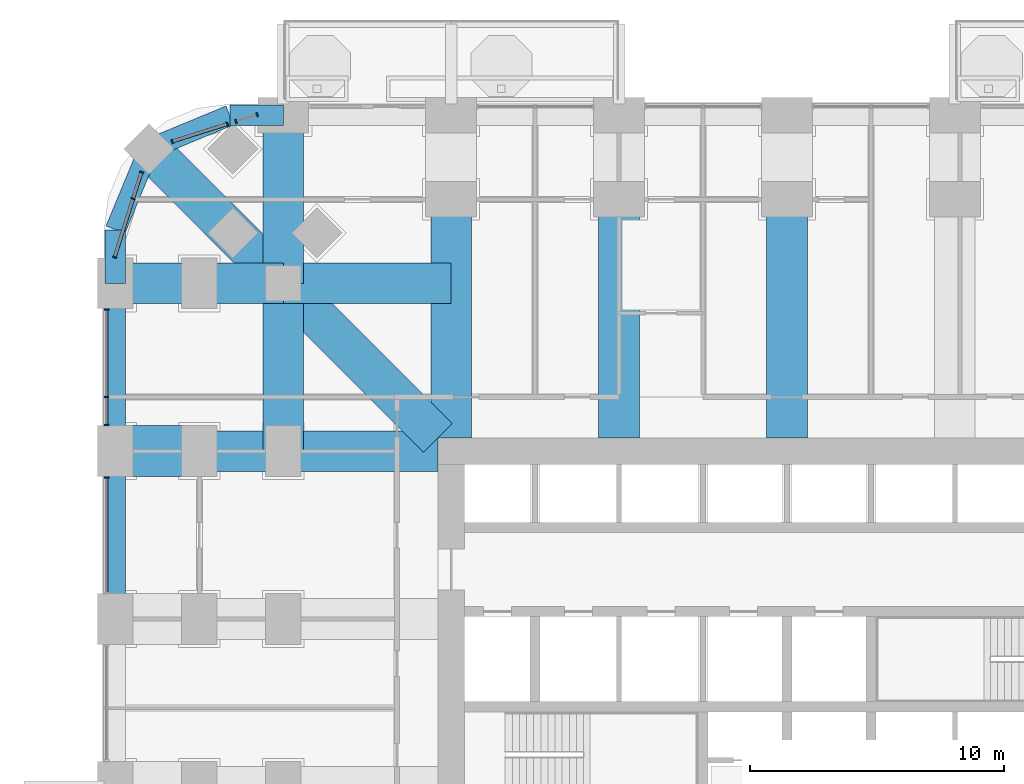
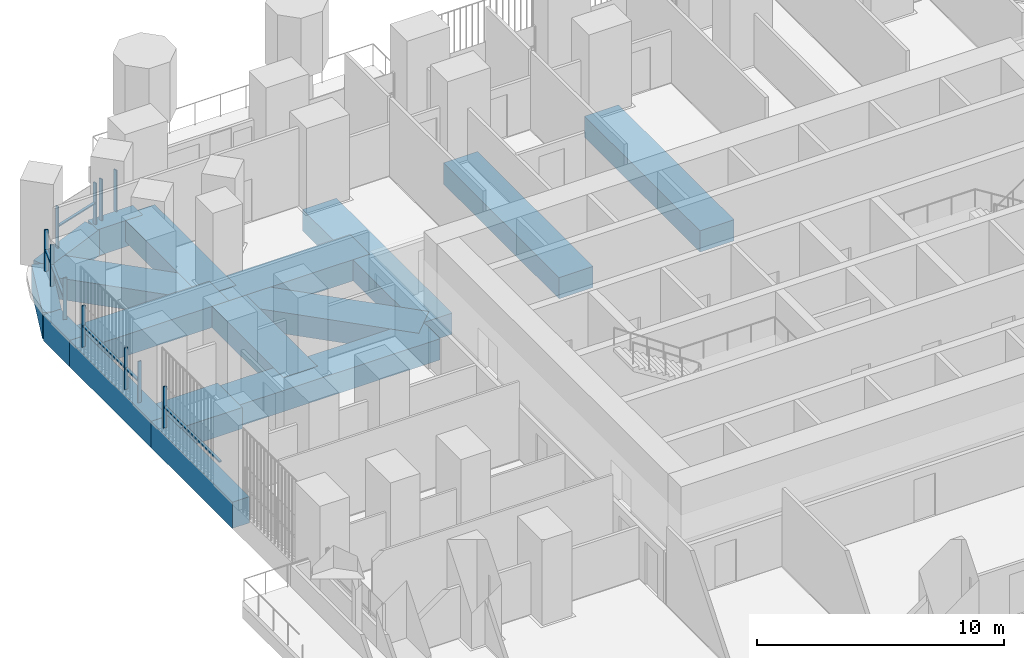
# One storey, part 7 of 27: 17 beams, 17 members, 5 elements without a shape of their own.
"""IFC4 building model written with IfcOpenShell, lengths in metres."""

from ifc_helpers import new_model, si_unit, direction, frame, origin, origin_2d, place, context, subcontext, project, spatial, rectangle, extrude, material, material_profile, profile_set, type_object, element, aggregate, save


model = new_model("IFC4")

# Units and contexts
model_context = context("Model", 3, precision=1e-05, world=origin(), true_north=direction((0.0, 1.0)))
body_context = subcontext(model_context, "Body", "Model", "MODEL_VIEW")
ifc_project = project(units=[si_unit("LENGTHUNIT", "METRE"), si_unit("AREAUNIT", "SQUARE_METRE"), si_unit("VOLUMEUNIT", "CUBIC_METRE"), si_unit("PLANEANGLEUNIT", "RADIAN"), si_unit("MASSUNIT", "GRAM", prefix="KILO")], contexts=[model_context])

# Site, building, storey
site_placement = place(None, origin())
site = spatial("IfcSite", under=ifc_project, at=site_placement, CompositionType="ELEMENT")
building_placement = place(site_placement, origin())
building = spatial("IfcBuilding", under=site, at=building_placement, Name="Cobogo Forest Laboratory Tower", CompositionType="ELEMENT")
storey_placement = place(building_placement, frame((0.0, 0.0, 71.699951171875)))
storey = spatial("IfcBuildingStorey", under=building, at=storey_placement, Name="L16", CompositionType="ELEMENT", Elevation=71.699951171875)

# Beams
ifc_material_1 = material(Name="Concrete HA-50 (C50/60)", Category="concrete")
ifc_material_profile_1 = material_profile(ifc_material_1, rectangle(XDim=2.0, YDim=1.050048828125, at=origin_2d()), Name="RC 2000x1050")
ifc_profile_set_1 = profile_set([ifc_material_profile_1], Name="Concrete HA-50 (C50/60)")
beam_type_1 = type_object("IfcBeamType", Name="End-bay wide beam 2000x1050", PredefinedType="BEAM", material=ifc_profile_set_1)
beam_1_placement = place(storey_placement, frame((0.0, 33.0, -0.824951171875), z_axis=(1.0, 0.0, 0.0), x_axis=(0.0, 1.0, 0.0)))
element("IfcBeam", 1, at=beam_1_placement, inside=storey, type_object=beam_type_1, Name="RB7 R-F-W-X L16", PredefinedType="BEAM", context=body_context, shape_type="SweptSolid", body=[
    extrude(rectangle(XDim=2.0, YDim=1.050048828125, at=origin_2d()), origin(), (0.0, 0.0, 1.0), 3.300048828125),
])
ifc_material_profile_2 = material_profile(ifc_material_1, rectangle(XDim=1.60009765625, YDim=1.050048828125, at=origin_2d()), Name="RC 1600x1050")
ifc_profile_set_2 = profile_set([ifc_material_profile_2], Name="Concrete HA-50 (C50/60)")
beam_type_2 = type_object("IfcBeamType", Name="Laboratory floor wide beam 1600x1050", PredefinedType="BEAM", material=ifc_profile_set_2)
for number, where, z_axis, x_axis, name in (
    (2, (13.199951171875, 33.52490234375, -0.824951171875), (0.0, 1.0, 0.0), (-1.0, 0.0, 0.0), "RB8 R-3-N L16"),
    (3, (19.800048828125, 33.52490234375, -0.824951171875), (0.0, 1.0, 0.0), (-1.0, 0.0, 0.0), "RB8 R-4-N L16"),
    (4, (26.39990234375, 33.52490234375, -0.824951171875), (0.0, 1.0, 0.0), (-1.0, 0.0, 0.0), "RB8 R-5-N L16"),
    (5, (12.675048828125, 33.0, -0.824951171875), (-1.0, 0.0, 0.0), (0.0, -1.0, 0.0), "RB8 R-F-W L16"),
):
    element("IfcBeam", number, at=place(storey_placement, frame(where, z_axis=z_axis, x_axis=x_axis)), inside=storey, type_object=beam_type_2, Name=name, PredefinedType="BEAM", context=body_context, shape_type="SweptSolid", body=[
        extrude(rectangle(XDim=1.60009765625, YDim=1.050048828125, at=origin_2d()), origin(), (0.0, 0.0, 1.0), 9.375),
    ])
beam_2_placement = place(storey_placement, frame((6.60009765625, 46.199951171875, -0.824951171875), z_axis=(0.0, -1.0, 0.0), x_axis=(1.0, 0.0, 0.0)))
element("IfcBeam", 6, at=beam_2_placement, inside=storey, type_object=beam_type_2, Name="RB8 G-NW-XF L16", PredefinedType="BEAM", context=body_context, shape_type="SweptSolid", body=[
    extrude(rectangle(XDim=1.60009765625, YDim=1.050048828125, at=origin_2d()), origin(), (0.0, 0.0, 1.0), 6.599853515625),
])
for number, where, z_axis, x_axis, name in (
    (7, (6.60009765625, 39.60009765625, -0.824951171875), (0.0, -1.0, 0.0), (1.0, 0.0, 0.0), "RB8 G-NW-XC L16"),
    (8, (0.0, 39.60009765625, -0.824951171875), (1.0, 0.0, 0.0), (0.0, 1.0, 0.0), "RB8 G-NW-YF L16"),
):
    element("IfcBeam", number, at=place(storey_placement, frame(where, z_axis=z_axis, x_axis=x_axis)), inside=storey, type_object=beam_type_2, Name=name, PredefinedType="BEAM", context=body_context, shape_type="SweptSolid", body=[
        extrude(rectangle(XDim=1.60009765625, YDim=1.050048828125, at=origin_2d()), origin(), (0.0, 0.0, 1.0), 6.60009765625),
    ])
beam_3_placement = place(storey_placement, frame((6.60009765625, 39.60009765625, -0.824951171875), z_axis=(1.0, 0.0, 0.0), x_axis=(0.0, 1.0, 0.0)))
element("IfcBeam", 9, at=beam_3_placement, inside=storey, type_object=beam_type_2, Name="RB8 G-NW-YC L16", PredefinedType="BEAM", context=body_context, shape_type="SweptSolid", body=[
    extrude(rectangle(XDim=1.60009765625, YDim=1.050048828125, at=origin_2d()), origin(), (0.0, 0.0, 1.0), 6.599853515625),
])
beam_4_placement = place(storey_placement, frame((1.318115234375, 44.882080078125, -0.824951171875), z_axis=(0.707106781187, -0.707106781187, 0.0), x_axis=(0.707106781187, 0.707106781187, 0.0)))
element("IfcBeam", 10, at=beam_4_placement, inside=storey, type_object=beam_type_2, Name="RB8 G-NW-D1 L16", PredefinedType="BEAM", context=body_context, shape_type="SweptSolid", body=[
    extrude(rectangle(XDim=1.60009765625, YDim=1.050048828125, at=origin_2d()), origin(), (0.0, 0.0, 1.0), 7.469970703125),
])
beam_5_placement = place(storey_placement, frame((6.60009765625, 39.60009765625, -0.824951171875), z_axis=(0.707092572697, -0.70712098939, 0.0), x_axis=(0.70712098939, 0.707092572697, 0.0)))
element("IfcBeam", 11, at=beam_5_placement, inside=storey, type_object=beam_type_2, Name="RB8 G-NW-D2 L16", PredefinedType="BEAM", context=body_context, shape_type="SweptSolid", body=[
    extrude(rectangle(XDim=1.60009765625, YDim=1.050048828125, at=origin_2d()), origin(), (0.0, 0.0, 1.0), 8.591552734375),
])

# Curtain wall, members
ifc_material_2 = material(Name="Aluminium curtain wall", Category="aluminium")
curtain_wall_type = type_object("IfcCurtainWallType", Name="CW-1 unitised curtain wall, clear glazing, laboratory floors zones A and B", PredefinedType="USERDEFINED", material=ifc_material_2)
curtain_wall_1_placement = place(storey_placement, origin())
curtain_wall_1 = element("IfcCurtainWall", 12, at=curtain_wall_1_placement, inside=storey, type_object=curtain_wall_type, Name="Curtain wall 24 L16", ObjectType="UNITISED CURTAIN WALL", PredefinedType="USERDEFINED")
ifc_material_3 = material(Name="Aluminium mullion", Category="aluminium")
ifc_material_profile_3 = material_profile(ifc_material_3, rectangle(XDim=0.06005859375, YDim=0.159912109375, at=origin_2d()), Name="AL 60x160")
ifc_profile_set_3 = profile_set([ifc_material_profile_3], Name="Aluminium mullion")
member_type_1 = type_object("IfcMemberType", Name="MU-1 aluminium mullion 60x160", PredefinedType="MULLION", material=ifc_profile_set_3)
member_1_placement = place(storey_placement, frame((5.5712890625, 46.22509765625, 0.0), z_axis=(0.0, 0.0, 1.0), x_axis=(-0.953581406818, -0.301135352577, 0.0)))
member_1 = element("IfcMember", 13, at=member_1_placement, type_object=member_type_1, Name="CW-1 mullion 1", PredefinedType="MULLION", context=body_context, shape_type="SweptSolid", body=[
    extrude(rectangle(XDim=0.06005859375, YDim=0.159912109375, at=origin_2d()), origin(), (0.0, 0.0, 1.0), 2.050048828125),
])
member_2_placement = place(storey_placement, frame((4.74658203125, 45.96484375, 0.0), z_axis=(0.0, 0.0, 1.0), x_axis=(-0.953581406818, -0.301135352577, 0.0)))
member_2 = element("IfcMember", 14, at=member_2_placement, type_object=member_type_1, Name="CW-1 mullion 2", PredefinedType="MULLION", context=body_context, shape_type="SweptSolid", body=[
    extrude(rectangle(XDim=0.06005859375, YDim=0.159912109375, at=origin_2d()), origin(), (0.0, 0.0, 1.0), 2.050048828125),
])
aggregate(curtain_wall_1, [member_1, member_2])

curtain_wall_2_placement = place(storey_placement, origin())
curtain_wall_2 = element("IfcCurtainWall", 15, at=curtain_wall_2_placement, inside=storey, type_object=curtain_wall_type, Name="Curtain wall 25 L16", ObjectType="UNITISED CURTAIN WALL", PredefinedType="USERDEFINED")
member_3_placement = place(storey_placement, frame((4.39697265625, 45.854248046875, 0.0), z_axis=(0.0, 0.0, 1.0), x_axis=(-0.953581409645, -0.301135343623, 0.0)))
member_3 = element("IfcMember", 16, at=member_3_placement, type_object=member_type_1, Name="CW-1 mullion 1", PredefinedType="MULLION", context=body_context, shape_type="SweptSolid", body=[
    extrude(rectangle(XDim=0.06005859375, YDim=0.159912109375, at=origin_2d()), origin(), (0.0, 0.0, 1.0), 2.050048828125),
])
member_4_placement = place(storey_placement, frame((2.23876953125, 45.1728515625, 0.0), z_axis=(0.0, 0.0, 1.0), x_axis=(-0.953581409645, -0.301135343623, 0.0)))
member_4 = element("IfcMember", 17, at=member_4_placement, type_object=member_type_1, Name="CW-1 mullion 2", PredefinedType="MULLION", context=body_context, shape_type="SweptSolid", body=[
    extrude(rectangle(XDim=0.06005859375, YDim=0.159912109375, at=origin_2d()), origin(), (0.0, 0.0, 1.0), 2.050048828125),
])

curtain_wall_3_placement = place(storey_placement, origin())
curtain_wall_3 = element("IfcCurtainWall", 18, at=curtain_wall_3_placement, inside=storey, type_object=curtain_wall_type, Name="Curtain wall 26 L16", ObjectType="UNITISED CURTAIN WALL", PredefinedType="USERDEFINED")
member_5_placement = place(storey_placement, frame((1.02734375, 43.961181640625, 0.0), z_axis=(0.0, 0.0, 1.0), x_axis=(-0.301135433696, -0.953581381201, 0.0)))
member_5 = element("IfcMember", 19, at=member_5_placement, type_object=member_type_1, Name="CW-1 mullion 1", PredefinedType="MULLION", context=body_context, shape_type="SweptSolid", body=[
    extrude(rectangle(XDim=0.06005859375, YDim=0.159912109375, at=origin_2d()), origin(), (0.0, 0.0, 1.0), 2.050048828125),
])
member_6_placement = place(storey_placement, frame((0.69970703125, 42.924072265625, 0.0), z_axis=(0.0, 0.0, 1.0), x_axis=(-0.301135433696, -0.953581381201, 0.0)))
member_6 = element("IfcMember", 20, at=member_6_placement, type_object=member_type_1, Name="CW-1 mullion 2", PredefinedType="MULLION", context=body_context, shape_type="SweptSolid", body=[
    extrude(rectangle(XDim=0.06005859375, YDim=0.159912109375, at=origin_2d()), origin(), (0.0, 0.0, 1.0), 2.050048828125),
])
member_7_placement = place(storey_placement, frame((-0.025146484375, 40.628662109375, 0.0), z_axis=(0.0, 0.0, 1.0), x_axis=(-0.301135433696, -0.953581381201, 0.0)))
member_7 = element("IfcMember", 21, at=member_7_placement, type_object=member_type_1, Name="CW-1 mullion 3", PredefinedType="MULLION", context=body_context, shape_type="SweptSolid", body=[
    extrude(rectangle(XDim=0.06005859375, YDim=0.159912109375, at=origin_2d()), origin(), (0.0, 0.0, 1.0), 2.050048828125),
])

curtain_wall_4_placement = place(storey_placement, origin())
curtain_wall_4 = element("IfcCurtainWall", 22, at=curtain_wall_4_placement, inside=storey, type_object=curtain_wall_type, Name="Curtain wall 27 L16", ObjectType="UNITISED CURTAIN WALL", PredefinedType="USERDEFINED")
member_8_placement = place(storey_placement, frame((-0.35009765625, 38.570068359375, 0.0), z_axis=(0.0, 0.0, 1.0), x_axis=(0.0, -1.0, 0.0)))
member_8 = element("IfcMember", 23, at=member_8_placement, type_object=member_type_1, Name="CW-1 mullion 1", PredefinedType="MULLION", context=body_context, shape_type="SweptSolid", body=[
    extrude(rectangle(XDim=0.06005859375, YDim=0.159912109375, at=origin_2d()), origin(), (0.0, 0.0, 1.0), 2.050048828125),
])
member_9_placement = place(storey_placement, frame((-0.35009765625, 35.125, 0.0), z_axis=(0.0, 0.0, 1.0), x_axis=(0.0, -1.0, 0.0)))
member_9 = element("IfcMember", 24, at=member_9_placement, type_object=member_type_1, Name="CW-1 mullion 2", PredefinedType="MULLION", context=body_context, shape_type="SweptSolid", body=[
    extrude(rectangle(XDim=0.06005859375, YDim=0.159912109375, at=origin_2d()), origin(), (0.0, 0.0, 1.0), 2.050048828125),
])
member_10_placement = place(storey_placement, frame((-0.35009765625, 34.030029296875, 0.0), z_axis=(0.0, 0.0, 1.0), x_axis=(0.0, -1.0, 0.0)))
member_10 = element("IfcMember", 25, at=member_10_placement, type_object=member_type_1, Name="CW-1 mullion 3", PredefinedType="MULLION", context=body_context, shape_type="SweptSolid", body=[
    extrude(rectangle(XDim=0.06005859375, YDim=0.159912109375, at=origin_2d()), origin(), (0.0, 0.0, 1.0), 2.050048828125),
])

# Curtain wall, member
curtain_wall_5_placement = place(storey_placement, origin())
curtain_wall_5 = element("IfcCurtainWall", 26, at=curtain_wall_5_placement, inside=storey, type_object=curtain_wall_type, Name="Curtain wall 28 L16", ObjectType="UNITISED CURTAIN WALL", PredefinedType="USERDEFINED")
member_11_placement = place(storey_placement, frame((-0.35009765625, 31.969970703125, 0.0), z_axis=(0.0, 0.0, 1.0), x_axis=(0.0, -1.0, 0.0)))
member_11 = element("IfcMember", 27, at=member_11_placement, type_object=member_type_1, Name="CW-1 mullion 1", PredefinedType="MULLION", context=body_context, shape_type="SweptSolid", body=[
    extrude(rectangle(XDim=0.06005859375, YDim=0.159912109375, at=origin_2d()), origin(), (0.0, 0.0, 1.0), 2.050048828125),
])

# Beams
ifc_material_4 = material(Name="Concrete HA-40 (C40/50)", Category="concrete")
ifc_material_profile_4 = material_profile(ifc_material_4, rectangle(XDim=0.800048828125, YDim=1.300048828125, at=origin_2d()), Name="RC 800x1300")
ifc_profile_set_4 = profile_set([ifc_material_profile_4], Name="Concrete HA-40 (C40/50)")
beam_type_3 = type_object("IfcBeamType", Name="Perimeter edge beam 800x1300", PredefinedType="BEAM", material=ifc_profile_set_4)
for number, where, z_axis, x_axis, name in (
    (28, (0.0, 26.39990234375, -0.949951171875), (0.0, 1.0, 0.0), (-1.0, 0.0, 0.0), "EB2 E-W4 L16"),
    (29, (0.0, 33.0, -0.949951171875), (0.0, 1.0, 0.0), (-1.0, 0.0, 0.0), "EB2 E-W5 L16"),
):
    element("IfcBeam", number, at=place(storey_placement, frame(where, z_axis=z_axis, x_axis=x_axis)), inside=storey, type_object=beam_type_3, Name=name, PredefinedType="BEAM", context=body_context, shape_type="SweptSolid", body=[
        extrude(rectangle(XDim=0.800048828125, YDim=1.300048828125, at=origin_2d()), origin(), (0.0, 0.0, 1.0), 6.60009765625),
    ])
beam_6_placement = place(storey_placement, frame((6.60009765625, 46.199951171875, -0.949951171875), z_axis=(-1.0, 0.0, 0.0), x_axis=(0.0, -1.0, 0.0)))
element("IfcBeam", 30, at=beam_6_placement, inside=storey, type_object=beam_type_3, Name="EB2 E-NWN1 L16", PredefinedType="BEAM", context=body_context, shape_type="SweptSolid", body=[
    extrude(rectangle(XDim=0.800048828125, YDim=1.300048828125, at=origin_2d()), origin(), (0.0, 0.0, 1.0), 2.10009765625),
])
beam_7_placement = place(storey_placement, frame((4.5, 46.199951171875, -0.949951171875), z_axis=(-0.923890694089, -0.382656484822, 0.0), x_axis=(0.382656484822, -0.923890694089, 0.0)))
element("IfcBeam", 31, at=beam_7_placement, inside=storey, type_object=beam_type_3, Name="EB2 E-NWN2 L16", PredefinedType="BEAM", context=body_context, shape_type="SweptSolid", body=[
    extrude(rectangle(XDim=0.800048828125, YDim=1.300048828125, at=origin_2d()), origin(), (0.0, 0.0, 1.0), 3.444091796875),
])
beam_8_placement = place(storey_placement, frame((0.0, 39.60009765625, -0.949951171875), z_axis=(0.0, 1.0, 0.0), x_axis=(-1.0, 0.0, 0.0)))
element("IfcBeam", 32, at=beam_8_placement, inside=storey, type_object=beam_type_3, Name="EB2 E-NWW1 L16", PredefinedType="BEAM", context=body_context, shape_type="SweptSolid", body=[
    extrude(rectangle(XDim=0.800048828125, YDim=1.300048828125, at=origin_2d()), origin(), (0.0, 0.0, 1.0), 2.099853515625),
])
beam_9_placement = place(storey_placement, frame((0.0, 41.699951171875, -0.949951171875), z_axis=(0.382691928466, 0.923876013265, 0.0), x_axis=(-0.923876013265, 0.382691928466, 0.0)))
element("IfcBeam", 33, at=beam_9_placement, inside=storey, type_object=beam_type_3, Name="EB2 E-NWW2 L16", PredefinedType="BEAM", context=body_context, shape_type="SweptSolid", body=[
    extrude(rectangle(XDim=0.800048828125, YDim=1.300048828125, at=origin_2d()), origin(), (0.0, 0.0, 1.0), 3.4443359375),
])

# Member
ifc_material_5 = material(Name="Aluminium transom", Category="aluminium")
ifc_material_profile_5 = material_profile(ifc_material_5, rectangle(XDim=0.1201171875, YDim=0.06005859375, at=origin_2d()), Name="AL 60x120")
ifc_profile_set_5 = profile_set([ifc_material_profile_5], Name="Aluminium transom")
member_type_2 = type_object("IfcMemberType", Name="TR-1 aluminium transom 60x120", PredefinedType="USERDEFINED", material=ifc_profile_set_5)
member_12_placement = place(storey_placement, frame((4.368408203125, 45.84521484375, 1.050048828125), z_axis=(-0.953604433273, -0.301062426819, 0.0), x_axis=(0.301062426819, -0.953604433273, 0.0)))
member_12 = element("IfcMember", 34, at=member_12_placement, type_object=member_type_2, Name="CW-1 transom 1.1", ObjectType="TRANSOM", PredefinedType="USERDEFINED", context=body_context, shape_type="SweptSolid", body=[
    extrude(rectangle(XDim=0.1201171875, YDim=0.06005859375, at=origin_2d()), origin(), (0.0, 0.0, 1.0), 2.203369140625),
])

aggregate(curtain_wall_2, [member_3, member_4, member_12])

member_13_placement = place(storey_placement, frame((1.018310546875, 43.9326171875, 1.050048828125), z_axis=(-0.301222320394, -0.953553938535, 0.0), x_axis=(0.953553938535, -0.301222320394, 0.0)))
member_13 = element("IfcMember", 35, at=member_13_placement, type_object=member_type_2, Name="CW-1 transom 1.1", ObjectType="TRANSOM", PredefinedType="USERDEFINED", context=body_context, shape_type="SweptSolid", body=[
    extrude(rectangle(XDim=0.1201171875, YDim=0.06005859375, at=origin_2d()), origin(), (0.0, 0.0, 1.0), 1.02783203125),
])

member_14_placement = place(storey_placement, frame((0.690673828125, 42.8955078125, 1.050048828125), z_axis=(-0.301116434103, -0.953587380953, 0.0), x_axis=(0.953587380953, -0.301116434103, 0.0)))
member_14 = element("IfcMember", 36, at=member_14_placement, type_object=member_type_2, Name="CW-1 transom 2.1", ObjectType="TRANSOM", PredefinedType="USERDEFINED", context=body_context, shape_type="SweptSolid", body=[
    extrude(rectangle(XDim=0.1201171875, YDim=0.06005859375, at=origin_2d()), origin(), (0.0, 0.0, 1.0), 2.34716796875),
])

aggregate(curtain_wall_3, [member_5, member_6, member_7, member_13, member_14])

member_15_placement = place(storey_placement, frame((-0.35009765625, 38.5400390625, 1.050048828125), z_axis=(0.0, -1.0, 0.0), x_axis=(1.0, 0.0, 0.0)))
member_15 = element("IfcMember", 37, at=member_15_placement, type_object=member_type_2, Name="CW-1 transom 1.1", ObjectType="TRANSOM", PredefinedType="USERDEFINED", context=body_context, shape_type="SweptSolid", body=[
    extrude(rectangle(XDim=0.1201171875, YDim=0.06005859375, at=origin_2d()), origin(), (0.0, 0.0, 1.0), 3.385009765625),
])

member_16_placement = place(storey_placement, frame((-0.35009765625, 35.094970703125, 1.050048828125), z_axis=(0.0, -1.0, 0.0), x_axis=(1.0, 0.0, 0.0)))
member_16 = element("IfcMember", 38, at=member_16_placement, type_object=member_type_2, Name="CW-1 transom 2.1", ObjectType="TRANSOM", PredefinedType="USERDEFINED", context=body_context, shape_type="SweptSolid", body=[
    extrude(rectangle(XDim=0.1201171875, YDim=0.06005859375, at=origin_2d()), origin(), (0.0, 0.0, 1.0), 1.034912109375),
])

aggregate(curtain_wall_4, [member_8, member_9, member_10, member_15, member_16])

member_17_placement = place(storey_placement, frame((-0.35009765625, 31.93994140625, 1.050048828125), z_axis=(0.0, -1.0, 0.0), x_axis=(1.0, 0.0, 0.0)))
member_17 = element("IfcMember", 39, at=member_17_placement, type_object=member_type_2, Name="CW-1 transom 1.1", ObjectType="TRANSOM", PredefinedType="USERDEFINED", context=body_context, shape_type="SweptSolid", body=[
    extrude(rectangle(XDim=0.1201171875, YDim=0.06005859375, at=origin_2d()), origin(), (0.0, 0.0, 1.0), 4.47998046875),
])

aggregate(curtain_wall_5, [member_11, member_17])

save(model, "model.ifc")
